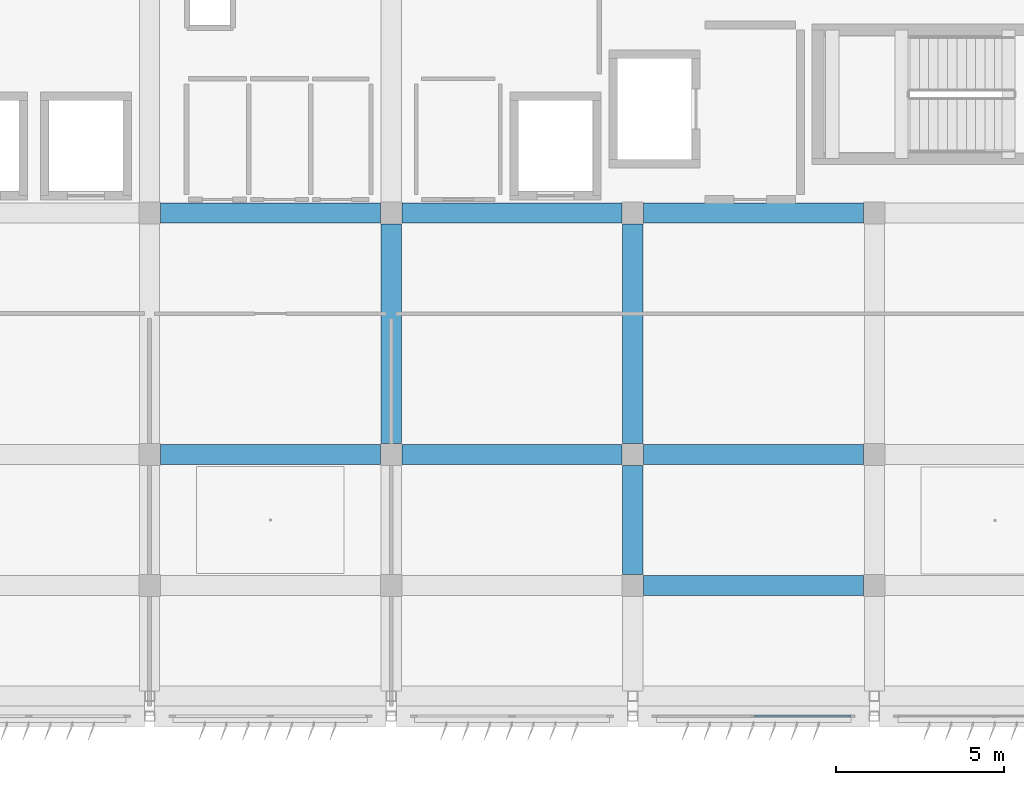
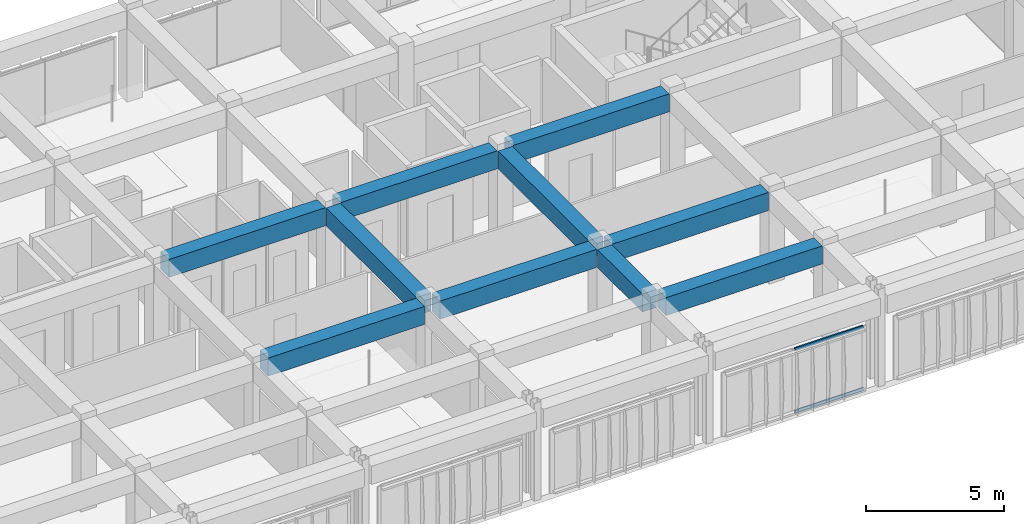
# One storey, part 19 of 53: 10 beams, 2 members, 1 element without a shape of its own.
"""IFC4 building model written with IfcOpenShell, lengths in metres."""

import ifcopenshell
import ifcopenshell.guid

model = None  # the IFC model being written
_history = None  # IfcOwnerHistory: only IFC2X3 demands one
_inside = {}  # id of a spatial element -> (the spatial element, [elements in it])
_under = {}  # id of a project, library or spatial element -> (it, [spatial elements below it])
_declared = {}  # id of a project -> (the project, [libraries it declares])
_typed = {}  # id of a type object -> (the type object, [elements of that type])
_made_of = {}  # id of a material, layer set ... -> (it, [elements and type objects made of it])


def new_model(schema):
    """Start an empty IFC model of exactly this schema.

    Asked for "IFC4X3", IfcOpenShell would pick the latest addendum, in which some entities
    have other attributes; the version numbers below select the first issue.
    IFC2X3 requires an IfcOwnerHistory on every rooted entity: one is made here for all.
    """
    global model, _history
    if schema == "IFC4X3":
        model = ifcopenshell.file(schema_version=(4, 3, 0, 0))
    else:
        model = ifcopenshell.file(schema=schema)
    _inside.clear()
    _under.clear()
    _declared.clear()
    _typed.clear()
    _made_of.clear()
    _history = None
    if model.schema == "IFC2X3":
        org = make("IfcOrganization", Name="unknown")
        user = make(
            "IfcPersonAndOrganization",
            ThePerson=make("IfcPerson", FamilyName="unknown"),
            TheOrganization=org,
        )
        app = make(
            "IfcApplication",
            ApplicationDeveloper=org,
            Version="unknown",
            ApplicationFullName="unknown",
            ApplicationIdentifier="unknown",
        )
        _history = make(
            "IfcOwnerHistory",
            OwningUser=user,
            OwningApplication=app,
            ChangeAction="ADDED",
            CreationDate=0,
        )
    return model


def make(cls, **values):
    """One entity of the class cls with the attributes given. An attribute that is None is left unset."""
    return model.create_entity(
        cls, **{name: value for name, value in values.items() if value is not None}
    )


def rooted(cls, **values):
    """An entity with a GlobalId (a new one), such as an element, a storey or a relation."""
    return make(cls, GlobalId=ifcopenshell.guid.new(), OwnerHistory=_history, **values)


def si_unit(unit_type, name, prefix=None):
    """IfcSIUnit, for example si_unit("LENGTHUNIT", "METRE", prefix="MILLI")."""
    return make("IfcSIUnit", UnitType=unit_type, Prefix=prefix, Name=name)


def assignment(units):
    """IfcUnitAssignment: the units of a project."""
    return None if units is None else make("IfcUnitAssignment", Units=units)


def point(xyz):
    """IfcCartesianPoint."""
    return None if xyz is None else make("IfcCartesianPoint", Coordinates=xyz)


def direction(xyz):
    """IfcDirection."""
    return None if xyz is None else make("IfcDirection", DirectionRatios=xyz)


def frame(location, z_axis=None, x_axis=None):
    """IfcAxis2Placement3D, a coordinate frame: its origin and axes. An axis left out is left unset."""
    return make(
        "IfcAxis2Placement3D",
        Location=point(location),
        Axis=direction(z_axis),
        RefDirection=direction(x_axis),
    )


def frame_2d(location, x_axis=None):
    """IfcAxis2Placement2D, a coordinate frame in the plane: its origin and x axis."""
    return make(
        "IfcAxis2Placement2D", Location=point(location), RefDirection=direction(x_axis)
    )


def origin():
    """The frame at (0, 0, 0) with its axes left unset."""
    return frame((0.0, 0.0, 0.0))


def origin_2d():
    """The frame at (0, 0) in the plane with its x axis left unset."""
    return frame_2d((0.0, 0.0))


def place(relative_to, where):
    """IfcLocalPlacement: puts the frame where relative to a parent placement (None: the world)."""
    return make(
        "IfcLocalPlacement", PlacementRelTo=relative_to, RelativePlacement=where
    )


def context(
    kind, dimensions, precision=None, world=None, true_north=None, identifier=None
):
    """IfcGeometricRepresentationContext, for example the 3D "Model" context."""
    return make(
        "IfcGeometricRepresentationContext",
        ContextIdentifier=identifier,
        ContextType=kind,
        CoordinateSpaceDimension=dimensions,
        Precision=precision,
        WorldCoordinateSystem=world,
        TrueNorth=true_north,
    )


def subcontext(parent, identifier, kind, view, scale=None):
    """IfcGeometricRepresentationSubContext, for example "Body" below "Model"."""
    return make(
        "IfcGeometricRepresentationSubContext",
        ContextIdentifier=identifier,
        ContextType=kind,
        ParentContext=parent,
        TargetScale=scale,
        TargetView=view,
    )


def project(units=None, contexts=None):
    """IfcProject with its units and contexts."""
    return rooted(
        "IfcProject",
        Name="project",
        RepresentationContexts=contexts,
        UnitsInContext=assignment(units),
    )


def spatial(cls, under=None, at=None, **own):
    """A site, building, storey or space (cls), placed at a placement, below another one or the project."""
    s = rooted(cls, ObjectPlacement=at, **own)
    if under is not None:
        _under.setdefault(under.id(), (under, []))[1].append(s)
    return s


def profile(cls, at=None, kind="AREA", **sizes):
    """A parametric profile (cls). Its sizes go by their IFC names, for example OverallWidth=200.0."""
    return make(cls, ProfileType=kind, Position=at, **sizes)


def rectangle(**sizes):
    """IfcRectangleProfileDef."""
    return profile("IfcRectangleProfileDef", **sizes)


def hollow_rectangle(**sizes):
    """IfcRectangleHollowProfileDef."""
    return profile("IfcRectangleHollowProfileDef", **sizes)


def extrude(swept, where, along, depth):
    """IfcExtrudedAreaSolid: the profile swept, set in the frame where, extruded along a direction by depth."""
    return make(
        "IfcExtrudedAreaSolid",
        SweptArea=swept,
        Position=where,
        ExtrudedDirection=direction(along),
        Depth=depth,
    )


def shape(context_of_items, identifier, shape_type, items):
    """IfcShapeRepresentation: the items that make up one representation, for example the "Body"."""
    return make(
        "IfcShapeRepresentation",
        ContextOfItems=context_of_items,
        RepresentationIdentifier=identifier,
        RepresentationType=shape_type,
        Items=items,
    )


def material(Name=None, Category=None):
    """IfcMaterial."""
    return make("IfcMaterial", Name=Name, Category=Category)


def material_profile(
    of_material, cross_section, Name=None, Category=None, Priority=None
):
    """IfcMaterialProfile: a cross section and its material."""
    return make(
        "IfcMaterialProfile",
        Name=Name,
        Material=of_material,
        Profile=cross_section,
        Priority=Priority,
        Category=Category,
    )


def profile_set(profiles, Name=None, composite=None):
    """IfcMaterialProfileSet."""
    return make(
        "IfcMaterialProfileSet",
        Name=Name,
        MaterialProfiles=profiles,
        CompositeProfile=composite,
    )


def made_of(thing, what):
    """Note that an element or type object is made of a material, layer set ...; save() writes the relation."""
    if what is not None:
        _made_of.setdefault(what.id(), (what, []))[1].append(thing)
    return thing


def type_object(cls, material=None, **own):
    """A type object (cls), such as IfcWallType, which elements share."""
    return made_of(rooted(cls, **own), material)


def element(
    cls,
    number,
    at=None,
    inside=None,
    cuts=None,
    type_object=None,
    material=None,
    context=None,
    identifier="Body",
    shape_type=None,
    held_by="IfcProductDefinitionShape",
    body=None,
    shapes=None,
    **own,
):
    """One element of the class cls, such as IfcWall. Its Tag is "e" and its number.

    at: its placement. inside: the storey or other place that contains it. cuts: it is an
    opening in that element (IfcRelVoidsElement). A single representation is given by context,
    identifier, shape_type and body (its items); several are given by shapes. held_by: the class
    of the entity that holds the representations. save() writes the other relations.
    """
    e = rooted(cls, Tag="e%d" % number, ObjectPlacement=at, **own)
    if body is not None:
        shapes = [shape(context, identifier, shape_type, body)]
    if shapes is not None:
        e.Representation = make(held_by, Representations=shapes)
    if inside is not None:
        _inside.setdefault(inside.id(), (inside, []))[1].append(e)
    if cuts is not None:
        rooted(
            "IfcRelVoidsElement", RelatingBuildingElement=cuts, RelatedOpeningElement=e
        )
    if type_object is not None:
        _typed.setdefault(type_object.id(), (type_object, []))[1].append(e)
    return made_of(e, material)


def aggregate(whole, parts):
    """IfcRelAggregates: a whole, such as a stair, and the parts it consists of."""
    return rooted("IfcRelAggregates", RelatingObject=whole, RelatedObjects=parts)


def save(model, path):
    """Write the relations noted so far, then the file.

    IfcRelAggregates (storeys below a building ...), IfcRelContainedInSpatialStructure (elements
    in a storey), IfcRelDefinesByType, IfcRelAssociatesMaterial and IfcRelDeclares: one each for
    every whole, place, type object, material and project.
    """
    for whole, parts in _under.values():
        aggregate(whole, parts)
    for where, things in _inside.values():
        rooted(
            "IfcRelContainedInSpatialStructure",
            RelatedElements=things,
            RelatingStructure=where,
        )
    for kind, things in _typed.values():
        rooted("IfcRelDefinesByType", RelatedObjects=things, RelatingType=kind)
    for what, things in _made_of.values():
        rooted("IfcRelAssociatesMaterial", RelatedObjects=things, RelatingMaterial=what)
    for by, libraries in _declared.values():
        rooted("IfcRelDeclares", RelatingContext=by, RelatedDefinitions=libraries)
    model.write(path)


model = new_model("IFC4")

# Units and contexts
model_context = context("Model", 3, precision=1e-05, world=origin(), true_north=direction((0.0, 1.0)))
body_context = subcontext(model_context, "Body", "Model", "MODEL_VIEW")
ifc_project = project(units=[si_unit("LENGTHUNIT", "METRE"), si_unit("AREAUNIT", "SQUARE_METRE"), si_unit("VOLUMEUNIT", "CUBIC_METRE"), si_unit("PLANEANGLEUNIT", "RADIAN"), si_unit("MASSUNIT", "GRAM", prefix="KILO")], contexts=[model_context])

# Site, building, storey
site_placement = place(None, origin())
site = spatial("IfcSite", under=ifc_project, at=site_placement, CompositionType="ELEMENT")
building_placement = place(site_placement, origin())
building = spatial("IfcBuilding", under=site, at=building_placement, Name="Kazehaya Institute of Natural Sciences", CompositionType="ELEMENT")
storey_placement = place(building_placement, frame((0.0, 0.0, 33.300048828125)))
storey = spatial("IfcBuildingStorey", under=building, at=storey_placement, Name="L07", CompositionType="ELEMENT", Elevation=33.300048828125)

# Beams
ifc_material_1 = material(Name="Concrete Fc36", Category="concrete")
ifc_material_profile_1 = material_profile(ifc_material_1, rectangle(XDim=0.60009765625, YDim=0.800048828125, at=origin_2d()), Name="RC-600x800")
ifc_profile_set_1 = profile_set([ifc_material_profile_1], Name="Concrete Fc36")
beam_type = type_object("IfcBeamType", Name="BM-G-600x800", PredefinedType="BEAM", material=ifc_profile_set_1)
beam_1_placement = place(storey_placement, frame((98.125, 10.10009765625, 3.64990234375), z_axis=(1.0, 0.0, 0.0), x_axis=(0.0, 1.0, 0.0)))
element("IfcBeam", 1, at=beam_1_placement, inside=storey, type_object=beam_type, Name="L07 primary X girder BMX-L07-978-101", PredefinedType="BEAM", context=body_context, shape_type="SweptSolid", body=[
    extrude(rectangle(XDim=0.60009765625, YDim=0.800048828125, at=origin_2d()), origin(), (0.0, 0.0, 1.0), 6.550048828125),
])
beam_2_placement = place(storey_placement, frame((83.72509765625, 14.0, 3.64990234375), z_axis=(1.0, 0.0, 0.0), x_axis=(0.0, 1.0, 0.0)))
element("IfcBeam", 2, at=beam_2_placement, inside=storey, type_object=beam_type, Name="L07 primary X girder BMX-L07-834-140", PredefinedType="BEAM", context=body_context, shape_type="SweptSolid", body=[
    extrude(rectangle(XDim=0.60009765625, YDim=0.800048828125, at=origin_2d()), origin(), (0.0, 0.0, 1.0), 6.5498046875),
])
for number, where, z_axis, x_axis, name in (
    (3, (90.925048828125, 14.0, 3.64990234375), (1.0, 0.0, 0.0), (0.0, 1.0, 0.0), "L07 primary X girder BMX-L07-906-140"),
    (4, (98.125, 14.0, 3.64990234375), (1.0, 0.0, 0.0), (0.0, 1.0, 0.0), "L07 primary X girder BMX-L07-978-140"),
):
    element("IfcBeam", number, at=place(storey_placement, frame(where, z_axis=z_axis, x_axis=x_axis)), inside=storey, type_object=beam_type, Name=name, PredefinedType="BEAM", context=body_context, shape_type="SweptSolid", body=[
        extrude(rectangle(XDim=0.60009765625, YDim=0.800048828125, at=origin_2d()), origin(), (0.0, 0.0, 1.0), 6.550048828125),
    ])
beam_3_placement = place(storey_placement, frame((83.72509765625, 21.199951171875, 3.64990234375), z_axis=(1.0, 0.0, 0.0), x_axis=(0.0, 1.0, 0.0)))
element("IfcBeam", 5, at=beam_3_placement, inside=storey, type_object=beam_type, Name="L07 primary X girder BMX-L07-834-212", PredefinedType="BEAM", context=body_context, shape_type="SweptSolid", body=[
    extrude(rectangle(XDim=0.60009765625, YDim=0.800048828125, at=origin_2d()), origin(), (0.0, 0.0, 1.0), 6.5498046875),
])
for number, where, z_axis, x_axis, name in (
    (6, (90.925048828125, 21.199951171875, 3.64990234375), (1.0, 0.0, 0.0), (0.0, 1.0, 0.0), "L07 primary X girder BMX-L07-906-212"),
    (7, (98.125, 21.199951171875, 3.64990234375), (1.0, 0.0, 0.0), (0.0, 1.0, 0.0), "L07 primary X girder BMX-L07-978-212"),
    (8, (90.60009765625, 14.324951171875, 3.64990234375), (0.0, 1.0, 0.0), (-1.0, 0.0, 0.0), "L07 primary Y girder BMY-L07-906-140"),
):
    element("IfcBeam", number, at=place(storey_placement, frame(where, z_axis=z_axis, x_axis=x_axis)), inside=storey, type_object=beam_type, Name=name, PredefinedType="BEAM", context=body_context, shape_type="SweptSolid", body=[
        extrude(rectangle(XDim=0.60009765625, YDim=0.800048828125, at=origin_2d()), origin(), (0.0, 0.0, 1.0), 6.550048828125),
    ])
beam_4_placement = place(storey_placement, frame((97.800048828125, 10.425048828125, 3.64990234375), z_axis=(0.0, 1.0, 0.0), x_axis=(-1.0, 0.0, 0.0)))
element("IfcBeam", 9, at=beam_4_placement, inside=storey, type_object=beam_type, Name="L07 primary Y girder BMY-L07-978-101", PredefinedType="BEAM", context=body_context, shape_type="SweptSolid", body=[
    extrude(rectangle(XDim=0.60009765625, YDim=0.800048828125, at=origin_2d()), origin(), (0.0, 0.0, 1.0), 3.25),
])
beam_5_placement = place(storey_placement, frame((97.800048828125, 14.324951171875, 3.64990234375), z_axis=(0.0, 1.0, 0.0), x_axis=(-1.0, 0.0, 0.0)))
element("IfcBeam", 10, at=beam_5_placement, inside=storey, type_object=beam_type, Name="L07 primary Y girder BMY-L07-978-140", PredefinedType="BEAM", context=body_context, shape_type="SweptSolid", body=[
    extrude(rectangle(XDim=0.60009765625, YDim=0.800048828125, at=origin_2d()), origin(), (0.0, 0.0, 1.0), 6.550048828125),
])

# Curtain wall, members
ifc_material_2 = material(Name="Aluminium alloy A6063S-T5", Category="aluminium")
curtain_wall_type = type_object("IfcCurtainWallType", Name="CW-SYS-05", PredefinedType="NOTDEFINED", material=ifc_material_2)
curtain_wall_placement = place(storey_placement, origin())
curtain_wall = element("IfcCurtainWall", 11, at=curtain_wall_placement, inside=storey, type_object=curtain_wall_type, Name="L07 unitised curtain wall CW-L07-150", PredefinedType="NOTDEFINED")
ifc_material_profile_2 = material_profile(ifc_material_2, hollow_rectangle(XDim=0.06005859375, YDim=0.139892578125, WallThickness=0.00341796875, at=origin_2d()), Name="ALU-60x140x3.5")
ifc_profile_set_2 = profile_set([ifc_material_profile_2], Name="Aluminium alloy A6063S-T5")
member_type = type_object("IfcMemberType", Name="CWT-140", PredefinedType="USERDEFINED", material=ifc_profile_set_2)
member_1_placement = place(storey_placement, frame((104.300048828125, 6.199951171875, 0.030029296875), z_axis=(-1.0, 0.0, 0.0), x_axis=(0.0, -1.0, 0.0)))
member_1 = element("IfcMember", 12, at=member_1_placement, type_object=member_type, Name="CW05 transom 1.1", ObjectType="TRANSOM", PredefinedType="USERDEFINED", context=body_context, shape_type="SweptSolid", body=[
    extrude(hollow_rectangle(XDim=0.06005859375, YDim=0.139892578125, WallThickness=0.00341796875, at=origin_2d()), origin(), (0.0, 0.0, 1.0), 2.8701171875),
])
member_2_placement = place(storey_placement, frame((104.300048828125, 6.199951171875, 2.7900390625), z_axis=(-1.0, 0.0, 0.0), x_axis=(0.0, -1.0, 0.0)))
member_2 = element("IfcMember", 13, at=member_2_placement, type_object=member_type, Name="CW05 transom 1.2", ObjectType="TRANSOM", PredefinedType="USERDEFINED", context=body_context, shape_type="SweptSolid", body=[
    extrude(hollow_rectangle(XDim=0.06005859375, YDim=0.139892578125, WallThickness=0.00341796875, at=origin_2d()), origin(), (0.0, 0.0, 1.0), 2.8701171875),
])
aggregate(curtain_wall, [member_1, member_2])

save(model, "model.ifc")
